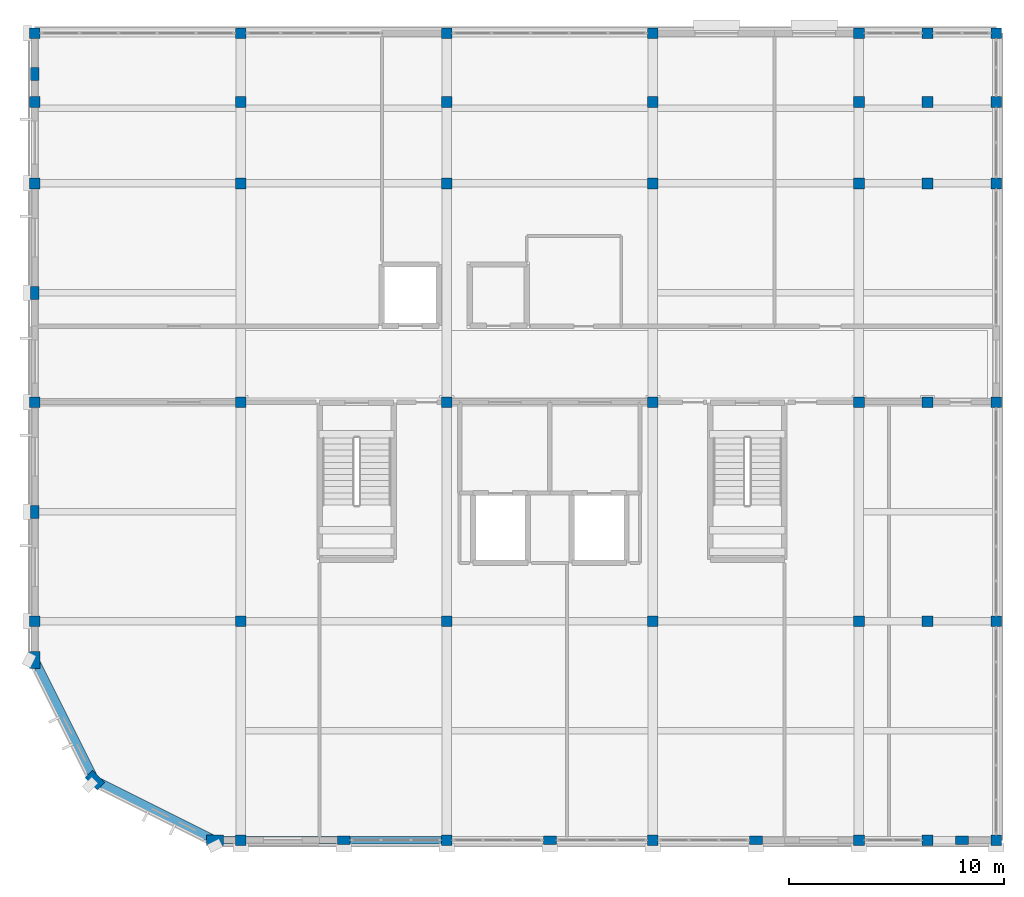
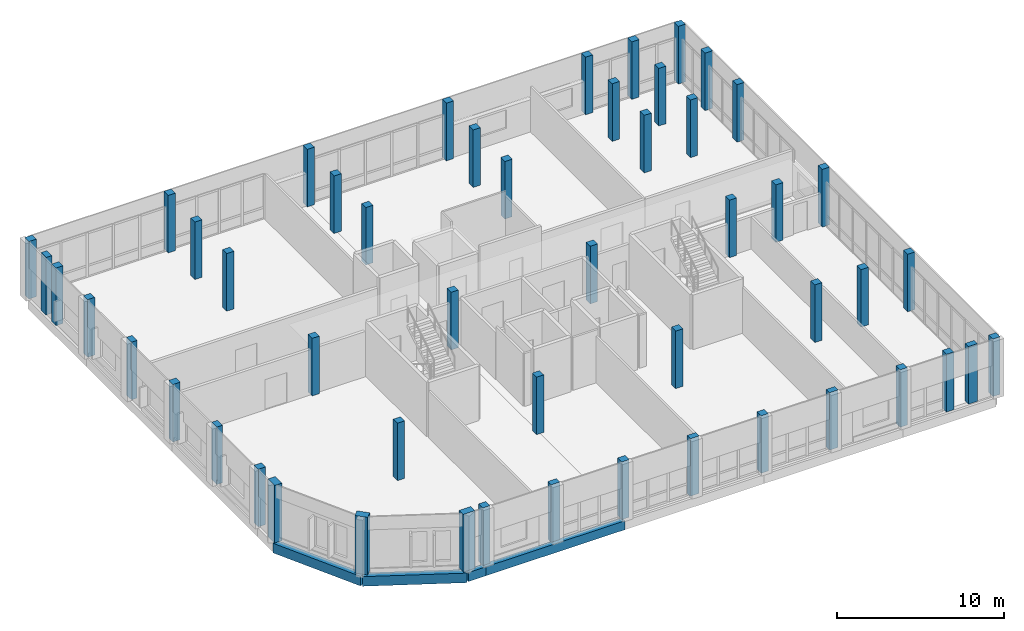
# One storey, part 1 of 29: 51 columns, 4 beams.
"""IFC4 building model written with IfcOpenShell, lengths in metres."""

import ifcopenshell
import ifcopenshell.guid

model = None  # the IFC model being written
_history = None  # IfcOwnerHistory: only IFC2X3 demands one
_inside = {}  # id of a spatial element -> (the spatial element, [elements in it])
_under = {}  # id of a project, library or spatial element -> (it, [spatial elements below it])
_declared = {}  # id of a project -> (the project, [libraries it declares])
_typed = {}  # id of a type object -> (the type object, [elements of that type])
_made_of = {}  # id of a material, layer set ... -> (it, [elements and type objects made of it])


def new_model(schema):
    """Start an empty IFC model of exactly this schema.

    Asked for "IFC4X3", IfcOpenShell would pick the latest addendum, in which some entities
    have other attributes; the version numbers below select the first issue.
    IFC2X3 requires an IfcOwnerHistory on every rooted entity: one is made here for all.
    """
    global model, _history
    if schema == "IFC4X3":
        model = ifcopenshell.file(schema_version=(4, 3, 0, 0))
    else:
        model = ifcopenshell.file(schema=schema)
    _inside.clear()
    _under.clear()
    _declared.clear()
    _typed.clear()
    _made_of.clear()
    _history = None
    if model.schema == "IFC2X3":
        org = make("IfcOrganization", Name="unknown")
        user = make(
            "IfcPersonAndOrganization",
            ThePerson=make("IfcPerson", FamilyName="unknown"),
            TheOrganization=org,
        )
        app = make(
            "IfcApplication",
            ApplicationDeveloper=org,
            Version="unknown",
            ApplicationFullName="unknown",
            ApplicationIdentifier="unknown",
        )
        _history = make(
            "IfcOwnerHistory",
            OwningUser=user,
            OwningApplication=app,
            ChangeAction="ADDED",
            CreationDate=0,
        )
    return model


def make(cls, **values):
    """One entity of the class cls with the attributes given. An attribute that is None is left unset."""
    return model.create_entity(
        cls, **{name: value for name, value in values.items() if value is not None}
    )


def rooted(cls, **values):
    """An entity with a GlobalId (a new one), such as an element, a storey or a relation."""
    return make(cls, GlobalId=ifcopenshell.guid.new(), OwnerHistory=_history, **values)


def si_unit(unit_type, name, prefix=None):
    """IfcSIUnit, for example si_unit("LENGTHUNIT", "METRE", prefix="MILLI")."""
    return make("IfcSIUnit", UnitType=unit_type, Prefix=prefix, Name=name)


def assignment(units):
    """IfcUnitAssignment: the units of a project."""
    return None if units is None else make("IfcUnitAssignment", Units=units)


def point(xyz):
    """IfcCartesianPoint."""
    return None if xyz is None else make("IfcCartesianPoint", Coordinates=xyz)


def direction(xyz):
    """IfcDirection."""
    return None if xyz is None else make("IfcDirection", DirectionRatios=xyz)


def frame(location, z_axis=None, x_axis=None):
    """IfcAxis2Placement3D, a coordinate frame: its origin and axes. An axis left out is left unset."""
    return make(
        "IfcAxis2Placement3D",
        Location=point(location),
        Axis=direction(z_axis),
        RefDirection=direction(x_axis),
    )


def frame_2d(location, x_axis=None):
    """IfcAxis2Placement2D, a coordinate frame in the plane: its origin and x axis."""
    return make(
        "IfcAxis2Placement2D", Location=point(location), RefDirection=direction(x_axis)
    )


def origin():
    """The frame at (0, 0, 0) with its axes left unset."""
    return frame((0.0, 0.0, 0.0))


def origin_2d():
    """The frame at (0, 0) in the plane with its x axis left unset."""
    return frame_2d((0.0, 0.0))


def place(relative_to, where):
    """IfcLocalPlacement: puts the frame where relative to a parent placement (None: the world)."""
    return make(
        "IfcLocalPlacement", PlacementRelTo=relative_to, RelativePlacement=where
    )


def context(
    kind, dimensions, precision=None, world=None, true_north=None, identifier=None
):
    """IfcGeometricRepresentationContext, for example the 3D "Model" context."""
    return make(
        "IfcGeometricRepresentationContext",
        ContextIdentifier=identifier,
        ContextType=kind,
        CoordinateSpaceDimension=dimensions,
        Precision=precision,
        WorldCoordinateSystem=world,
        TrueNorth=true_north,
    )


def subcontext(parent, identifier, kind, view, scale=None):
    """IfcGeometricRepresentationSubContext, for example "Body" below "Model"."""
    return make(
        "IfcGeometricRepresentationSubContext",
        ContextIdentifier=identifier,
        ContextType=kind,
        ParentContext=parent,
        TargetScale=scale,
        TargetView=view,
    )


def project(units=None, contexts=None):
    """IfcProject with its units and contexts."""
    return rooted(
        "IfcProject",
        Name="project",
        RepresentationContexts=contexts,
        UnitsInContext=assignment(units),
    )


def spatial(cls, under=None, at=None, **own):
    """A site, building, storey or space (cls), placed at a placement, below another one or the project."""
    s = rooted(cls, ObjectPlacement=at, **own)
    if under is not None:
        _under.setdefault(under.id(), (under, []))[1].append(s)
    return s


def profile(cls, at=None, kind="AREA", **sizes):
    """A parametric profile (cls). Its sizes go by their IFC names, for example OverallWidth=200.0."""
    return make(cls, ProfileType=kind, Position=at, **sizes)


def rectangle(**sizes):
    """IfcRectangleProfileDef."""
    return profile("IfcRectangleProfileDef", **sizes)


def extrude(swept, where, along, depth):
    """IfcExtrudedAreaSolid: the profile swept, set in the frame where, extruded along a direction by depth."""
    return make(
        "IfcExtrudedAreaSolid",
        SweptArea=swept,
        Position=where,
        ExtrudedDirection=direction(along),
        Depth=depth,
    )


def shape(context_of_items, identifier, shape_type, items):
    """IfcShapeRepresentation: the items that make up one representation, for example the "Body"."""
    return make(
        "IfcShapeRepresentation",
        ContextOfItems=context_of_items,
        RepresentationIdentifier=identifier,
        RepresentationType=shape_type,
        Items=items,
    )


def material(Name=None, Category=None):
    """IfcMaterial."""
    return make("IfcMaterial", Name=Name, Category=Category)


def material_profile(
    of_material, cross_section, Name=None, Category=None, Priority=None
):
    """IfcMaterialProfile: a cross section and its material."""
    return make(
        "IfcMaterialProfile",
        Name=Name,
        Material=of_material,
        Profile=cross_section,
        Priority=Priority,
        Category=Category,
    )


def profile_set(profiles, Name=None, composite=None):
    """IfcMaterialProfileSet."""
    return make(
        "IfcMaterialProfileSet",
        Name=Name,
        MaterialProfiles=profiles,
        CompositeProfile=composite,
    )


def made_of(thing, what):
    """Note that an element or type object is made of a material, layer set ...; save() writes the relation."""
    if what is not None:
        _made_of.setdefault(what.id(), (what, []))[1].append(thing)
    return thing


def type_object(cls, material=None, **own):
    """A type object (cls), such as IfcWallType, which elements share."""
    return made_of(rooted(cls, **own), material)


def element(
    cls,
    number,
    at=None,
    inside=None,
    cuts=None,
    type_object=None,
    material=None,
    context=None,
    identifier="Body",
    shape_type=None,
    held_by="IfcProductDefinitionShape",
    body=None,
    shapes=None,
    **own,
):
    """One element of the class cls, such as IfcWall. Its Tag is "e" and its number.

    at: its placement. inside: the storey or other place that contains it. cuts: it is an
    opening in that element (IfcRelVoidsElement). A single representation is given by context,
    identifier, shape_type and body (its items); several are given by shapes. held_by: the class
    of the entity that holds the representations. save() writes the other relations.
    """
    e = rooted(cls, Tag="e%d" % number, ObjectPlacement=at, **own)
    if body is not None:
        shapes = [shape(context, identifier, shape_type, body)]
    if shapes is not None:
        e.Representation = make(held_by, Representations=shapes)
    if inside is not None:
        _inside.setdefault(inside.id(), (inside, []))[1].append(e)
    if cuts is not None:
        rooted(
            "IfcRelVoidsElement", RelatingBuildingElement=cuts, RelatedOpeningElement=e
        )
    if type_object is not None:
        _typed.setdefault(type_object.id(), (type_object, []))[1].append(e)
    return made_of(e, material)


def aggregate(whole, parts):
    """IfcRelAggregates: a whole, such as a stair, and the parts it consists of."""
    return rooted("IfcRelAggregates", RelatingObject=whole, RelatedObjects=parts)


def save(model, path):
    """Write the relations noted so far, then the file.

    IfcRelAggregates (storeys below a building ...), IfcRelContainedInSpatialStructure (elements
    in a storey), IfcRelDefinesByType, IfcRelAssociatesMaterial and IfcRelDeclares: one each for
    every whole, place, type object, material and project.
    """
    for whole, parts in _under.values():
        aggregate(whole, parts)
    for where, things in _inside.values():
        rooted(
            "IfcRelContainedInSpatialStructure",
            RelatedElements=things,
            RelatingStructure=where,
        )
    for kind, things in _typed.values():
        rooted("IfcRelDefinesByType", RelatedObjects=things, RelatingType=kind)
    for what, things in _made_of.values():
        rooted("IfcRelAssociatesMaterial", RelatedObjects=things, RelatingMaterial=what)
    for by, libraries in _declared.values():
        rooted("IfcRelDeclares", RelatingContext=by, RelatedDefinitions=libraries)
    model.write(path)


model = new_model("IFC4")

# Units and contexts
model_context = context("Model", 3, precision=1e-05, world=origin(), true_north=direction((0.0, 1.0)))
body_context = subcontext(model_context, "Body", "Model", "MODEL_VIEW")
ifc_project = project(units=[si_unit("LENGTHUNIT", "METRE"), si_unit("AREAUNIT", "SQUARE_METRE"), si_unit("VOLUMEUNIT", "CUBIC_METRE"), si_unit("PLANEANGLEUNIT", "RADIAN"), si_unit("MASSUNIT", "GRAM", prefix="KILO")], contexts=[model_context])

# Site, building, storey
site_placement = place(None, origin())
site = spatial("IfcSite", under=ifc_project, at=site_placement, CompositionType="ELEMENT")
building_placement = place(site_placement, origin())
building = spatial("IfcBuilding", under=site, at=building_placement, Name="Vondelvale Polytechnic", CompositionType="ELEMENT")
storey_placement = place(building_placement, frame((0.0, 0.0, 26.39990234375)))
storey = spatial("IfcBuildingStorey", under=building, at=storey_placement, Name="L06", CompositionType="ELEMENT", Elevation=26.39990234375)

# Columns
ifc_material_1 = material(Name="Concrete N50 (f'c = 50 MPa)", Category="concrete")
ifc_material_profile_1 = material_profile(ifc_material_1, rectangle(XDim=0.5, YDim=0.5, at=origin_2d()), Name="RC-COL-500x500")
ifc_profile_set_1 = profile_set([ifc_material_profile_1], Name="Concrete N50 (f'c = 50 MPa)")
column_type_1 = type_object("IfcColumnType", Name="COL-RC500", PredefinedType="COLUMN", material=ifc_profile_set_1)
for number, where, z_axis, x_axis, name in (
    (1, (0.0, 10.199951171875, 0.0), (0.0, 0.0, 1.0), (1.0, 0.0, 0.0), "L06 corner wing column (0.0,10.2)"),
    (2, (0.0, 20.39990234375, 0.0), (0.0, 0.0, 1.0), (1.0, 0.0, 0.0), "L06 corner wing column (0.0,20.4)"),
    (3, (0.0, 30.60009765625, 0.0), (0.0, 0.0, 1.0), (1.0, 0.0, 0.0), "L06 corner wing column (0.0,30.6)"),
    (4, (0.0, 34.39990234375, 0.0), (0.0, 0.0, 1.0), (1.0, 0.0, 0.0), "L06 corner wing column (0.0,34.4)"),
    (5, (0.0, 37.60009765625, 0.0), (0.0, 0.0, 1.0), (1.0, 0.0, 0.0), "L06 corner wing column (0.0,37.6)"),
    (6, (9.60009765625, 0.0, 0.0), (0.0, 0.0, 1.0), (1.0, 0.0, 0.0), "L06 corner wing column (9.6,0.0)"),
    (7, (9.60009765625, 10.199951171875, 0.0), (0.0, 0.0, 1.0), (1.0, 0.0, 0.0), "L06 corner wing column (9.6,10.2)"),
    (8, (9.60009765625, 20.39990234375, 0.0), (0.0, 0.0, 1.0), (1.0, 0.0, 0.0), "L06 corner wing column (9.6,20.4)"),
    (9, (9.60009765625, 30.60009765625, 0.0), (0.0, 0.0, 1.0), (1.0, 0.0, 0.0), "L06 corner wing column (9.6,30.6)"),
    (10, (9.60009765625, 34.39990234375, 0.0), (0.0, 0.0, 1.0), (1.0, 0.0, 0.0), "L06 corner wing column (9.6,34.4)"),
    (11, (9.60009765625, 37.60009765625, 0.0), (0.0, 0.0, 1.0), (1.0, 0.0, 0.0), "L06 corner wing column (9.6,37.6)"),
    (12, (19.199951171875, 0.0, 0.0), (0.0, 0.0, 1.0), (1.0, 0.0, 0.0), "L06 corner wing column (19.2,0.0)"),
    (13, (19.199951171875, 10.199951171875, 0.0), (0.0, 0.0, 1.0), (1.0, 0.0, 0.0), "L06 corner wing column (19.2,10.2)"),
    (14, (19.199951171875, 20.39990234375, 0.0), (0.0, 0.0, 1.0), (1.0, 0.0, 0.0), "L06 corner wing column (19.2,20.4)"),
    (15, (19.199951171875, 30.60009765625, 0.0), (0.0, 0.0, 1.0), (1.0, 0.0, 0.0), "L06 corner wing column (19.2,30.6)"),
    (16, (19.199951171875, 34.39990234375, 0.0), (0.0, 0.0, 1.0), (1.0, 0.0, 0.0), "L06 corner wing column (19.2,34.4)"),
    (17, (19.199951171875, 37.60009765625, 0.0), (0.0, 0.0, 1.0), (1.0, 0.0, 0.0), "L06 corner wing column (19.2,37.6)"),
    (18, (28.800048828125, 0.0, 0.0), (0.0, 0.0, 1.0), (1.0, 0.0, 0.0), "L06 corner wing column (28.8,0.0)"),
    (19, (28.800048828125, 10.199951171875, 0.0), (0.0, 0.0, 1.0), (1.0, 0.0, 0.0), "L06 corner wing column (28.8,10.2)"),
    (20, (28.800048828125, 20.39990234375, 0.0), (0.0, 0.0, 1.0), (1.0, 0.0, 0.0), "L06 corner wing column (28.8,20.4)"),
    (21, (28.800048828125, 30.60009765625, 0.0), (0.0, 0.0, 1.0), (1.0, 0.0, 0.0), "L06 corner wing column (28.8,30.6)"),
    (22, (28.800048828125, 34.39990234375, 0.0), (0.0, 0.0, 1.0), (1.0, 0.0, 0.0), "L06 corner wing column (28.8,34.4)"),
    (23, (28.800048828125, 37.60009765625, 0.0), (0.0, 0.0, 1.0), (1.0, 0.0, 0.0), "L06 corner wing column (28.8,37.6)"),
    (24, (38.39990234375, 0.0, 0.0), (0.0, 0.0, 1.0), (1.0, 0.0, 0.0), "L06 corner wing column (38.4,0.0)"),
    (25, (38.39990234375, 10.199951171875, 0.0), (0.0, 0.0, 1.0), (1.0, 0.0, 0.0), "L06 corner wing column (38.4,10.2)"),
    (26, (38.39990234375, 20.39990234375, 0.0), (0.0, 0.0, 1.0), (1.0, 0.0, 0.0), "L06 corner wing column (38.4,20.4)"),
    (27, (38.39990234375, 30.60009765625, 0.0), (0.0, 0.0, 1.0), (1.0, 0.0, 0.0), "L06 corner wing column (38.4,30.6)"),
    (28, (38.39990234375, 34.39990234375, 0.0), (0.0, 0.0, 1.0), (1.0, 0.0, 0.0), "L06 corner wing column (38.4,34.4)"),
    (29, (38.39990234375, 37.60009765625, 0.0), (0.0, 0.0, 1.0), (1.0, 0.0, 0.0), "L06 corner wing column (38.4,37.6)"),
    (30, (41.60009765625, 0.0, 0.0), (0.0, 0.0, 1.0), (1.0, 0.0, 0.0), "L06 corner wing column (41.6,0.0)"),
    (31, (41.60009765625, 10.199951171875, 0.0), (0.0, 0.0, 1.0), (1.0, 0.0, 0.0), "L06 corner wing column (41.6,10.2)"),
    (32, (41.60009765625, 20.39990234375, 0.0), (0.0, 0.0, 1.0), (1.0, 0.0, 0.0), "L06 corner wing column (41.6,20.4)"),
    (33, (41.60009765625, 30.60009765625, 0.0), (0.0, 0.0, 1.0), (1.0, 0.0, 0.0), "L06 corner wing column (41.6,30.6)"),
    (34, (41.60009765625, 34.39990234375, 0.0), (0.0, 0.0, 1.0), (1.0, 0.0, 0.0), "L06 corner wing column (41.6,34.4)"),
    (35, (41.60009765625, 37.60009765625, 0.0), (0.0, 0.0, 1.0), (1.0, 0.0, 0.0), "L06 corner wing column (41.6,37.6)"),
    (36, (44.800048828125, 0.0, 0.0), (0.0, 0.0, 1.0), (1.0, 0.0, 0.0), "L06 corner wing column (44.8,0.0)"),
    (37, (44.800048828125, 10.199951171875, 0.0), (0.0, 0.0, 1.0), (1.0, 0.0, 0.0), "L06 corner wing column (44.8,10.2)"),
    (38, (44.800048828125, 20.39990234375, 0.0), (0.0, 0.0, 1.0), (1.0, 0.0, 0.0), "L06 corner wing column (44.8,20.4)"),
    (39, (44.800048828125, 30.60009765625, 0.0), (0.0, 0.0, 1.0), (1.0, 0.0, 0.0), "L06 corner wing column (44.8,30.6)"),
    (40, (44.800048828125, 34.39990234375, 0.0), (0.0, 0.0, 1.0), (1.0, 0.0, 0.0), "L06 corner wing column (44.8,34.4)"),
    (41, (44.800048828125, 37.60009765625, 0.0), (0.0, 0.0, 1.0), (1.0, 0.0, 0.0), "L06 corner wing column (44.8,37.6)"),
):
    element("IfcColumn", number, at=place(storey_placement, frame(where, z_axis=z_axis, x_axis=x_axis)), inside=storey, type_object=column_type_1, Name=name, PredefinedType="COLUMN", context=body_context, shape_type="SweptSolid", body=[
        extrude(rectangle(XDim=0.5, YDim=0.5, at=origin_2d()), origin(), (0.0, 0.0, 1.0), 4.2001953125),
    ])
ifc_material_profile_2 = material_profile(ifc_material_1, rectangle(XDim=0.39990234375, YDim=0.60009765625, at=origin_2d()), Name="RC-PIL-600x400")
ifc_profile_set_2 = profile_set([ifc_material_profile_2], Name="Concrete N50 (f'c = 50 MPa)")
column_type_2 = type_object("IfcColumnType", Name="PIL-RC600x400", PredefinedType="PILASTER", material=ifc_profile_set_2)
for number, where, z_axis, x_axis, name in (
    (42, (14.39990234375, 0.0, 0.0), (0.0, 0.0, 1.0), (0.0, 1.0, 0.0), "L06 South street brick pilaster 1"),
    (43, (24.0, 0.0, 0.0), (0.0, 0.0, 1.0), (0.0, 1.0, 0.0), "L06 South street brick pilaster 2"),
    (44, (33.60009765625, 0.0, 0.0), (0.0, 0.0, 1.0), (0.0, 1.0, 0.0), "L06 South street brick pilaster 3"),
    (45, (43.199951171875, 0.0, 0.0), (0.0, 0.0, 1.0), (0.0, 1.0, 0.0), "L06 South street brick pilaster 4"),
    (46, (0.0, 15.300048828125, 0.0), (0.0, 0.0, 1.0), (1.0, 0.0, 0.0), "L06 West street brick pilaster 1"),
    (47, (0.0, 25.5, 0.0), (0.0, 0.0, 1.0), (1.0, 0.0, 0.0), "L06 West street brick pilaster 2"),
    (48, (0.0, 35.699951171875, 0.0), (0.0, 0.0, 1.0), (1.0, 0.0, 0.0), "L06 West street brick pilaster 3"),
):
    element("IfcColumn", number, at=place(storey_placement, frame(where, z_axis=z_axis, x_axis=x_axis)), inside=storey, type_object=column_type_2, Name=name, PredefinedType="PILASTER", context=body_context, shape_type="SweptSolid", body=[
        extrude(rectangle(XDim=0.39990234375, YDim=0.60009765625, at=origin_2d()), origin(), (0.0, 0.0, 1.0), 4.2001953125),
    ])
ifc_material_profile_3 = material_profile(ifc_material_1, rectangle(XDim=0.5, YDim=0.800048828125, at=origin_2d()), Name="RC-PIL-800x500")
ifc_profile_set_3 = profile_set([ifc_material_profile_3], Name="Concrete N50 (f'c = 50 MPa)")
column_type_3 = type_object("IfcColumnType", Name="PIL-RC800x500", PredefinedType="PILASTER", material=ifc_profile_set_3)
for number, where, z_axis, x_axis, name in (
    (49, (8.39990234375, 0.0, 0.0), (0.0, 0.0, 1.0), (0.0, 1.0, 0.0), "L06 SW corner turret pier TR-S"),
    (50, (2.800048828125, 2.800048828125, 0.0), (0.0, 0.0, 1.0), (0.707106781187, 0.707106781187, 0.0), "L06 SW corner turret pier TR-M"),
    (51, (0.0, 8.39990234375, 0.0), (0.0, 0.0, 1.0), (1.0, 0.0, 0.0), "L06 SW corner turret pier TR-W"),
):
    element("IfcColumn", number, at=place(storey_placement, frame(where, z_axis=z_axis, x_axis=x_axis)), inside=storey, type_object=column_type_3, Name=name, PredefinedType="PILASTER", context=body_context, shape_type="SweptSolid", body=[
        extrude(rectangle(XDim=0.5, YDim=0.800048828125, at=origin_2d()), origin(), (0.0, 0.0, 1.0), 4.2001953125),
    ])

# Beams
ifc_material_2 = material(Name="Precast concrete N40 (f'c = 40 MPa)", Category="concrete")
ifc_material_profile_4 = material_profile(ifc_material_2, rectangle(XDim=0.35009765625, YDim=0.64990234375, at=origin_2d()), Name="RC-SPN-350x650")
ifc_profile_set_4 = profile_set([ifc_material_profile_4], Name="Precast concrete N40 (f'c = 40 MPa)")
beam_type_1 = type_object("IfcBeamType", Name="SPN-PRE350x650", PredefinedType="SPANDREL", material=ifc_profile_set_4)
beam_1_placement = place(storey_placement, frame((8.39990234375, 0.0, -0.5498046875), z_axis=(1.0, 0.0, 0.0), x_axis=(0.0, 1.0, 0.0)))
element("IfcBeam", 52, at=beam_1_placement, inside=storey, type_object=beam_type_1, Name="L06 B SP-02", PredefinedType="SPANDREL", context=body_context, shape_type="SweptSolid", body=[
    extrude(rectangle(XDim=0.35009765625, YDim=0.64990234375, at=origin_2d()), origin(), (0.0, 0.0, 1.0), 1.2001953125),
])
beam_2_placement = place(storey_placement, frame((9.60009765625, 0.0, -0.5498046875), z_axis=(1.0, 0.0, 0.0), x_axis=(0.0, 1.0, 0.0)))
element("IfcBeam", 53, at=beam_2_placement, inside=storey, type_object=beam_type_1, Name="L06 B SP-02", PredefinedType="SPANDREL", context=body_context, shape_type="SweptSolid", body=[
    extrude(rectangle(XDim=0.35009765625, YDim=0.64990234375, at=origin_2d()), origin(), (0.0, 0.0, 1.0), 9.599853515625),
])
ifc_material_profile_5 = material_profile(ifc_material_2, rectangle(XDim=0.39990234375, YDim=0.699951171875, at=origin_2d()), Name="RC-SPN-400x700")
ifc_profile_set_5 = profile_set([ifc_material_profile_5], Name="Precast concrete N40 (f'c = 40 MPa)")
beam_type_2 = type_object("IfcBeamType", Name="SPN-PRE400x700", PredefinedType="SPANDREL", material=ifc_profile_set_5)
for number, where, z_axis, x_axis, name in (
    (54, (8.39990234375, 0.0, -0.574951171875), (-0.894419391942, 0.447229193276, 0.0), (-0.447229193276, -0.894419391942, 0.0), "L06 SP SP-01"),
    (55, (2.800048828125, 2.800048828125, -0.574951171875), (-0.447229193276, 0.894419391942, 0.0), (-0.894419391942, -0.447229193276, 0.0), "L06 SP SP-01"),
):
    element("IfcBeam", number, at=place(storey_placement, frame(where, z_axis=z_axis, x_axis=x_axis)), inside=storey, type_object=beam_type_2, Name=name, PredefinedType="SPANDREL", context=body_context, shape_type="SweptSolid", body=[
        extrude(rectangle(XDim=0.39990234375, YDim=0.699951171875, at=origin_2d()), origin(), (0.0, 0.0, 1.0), 6.260986328125),
    ])

save(model, "model.ifc")
